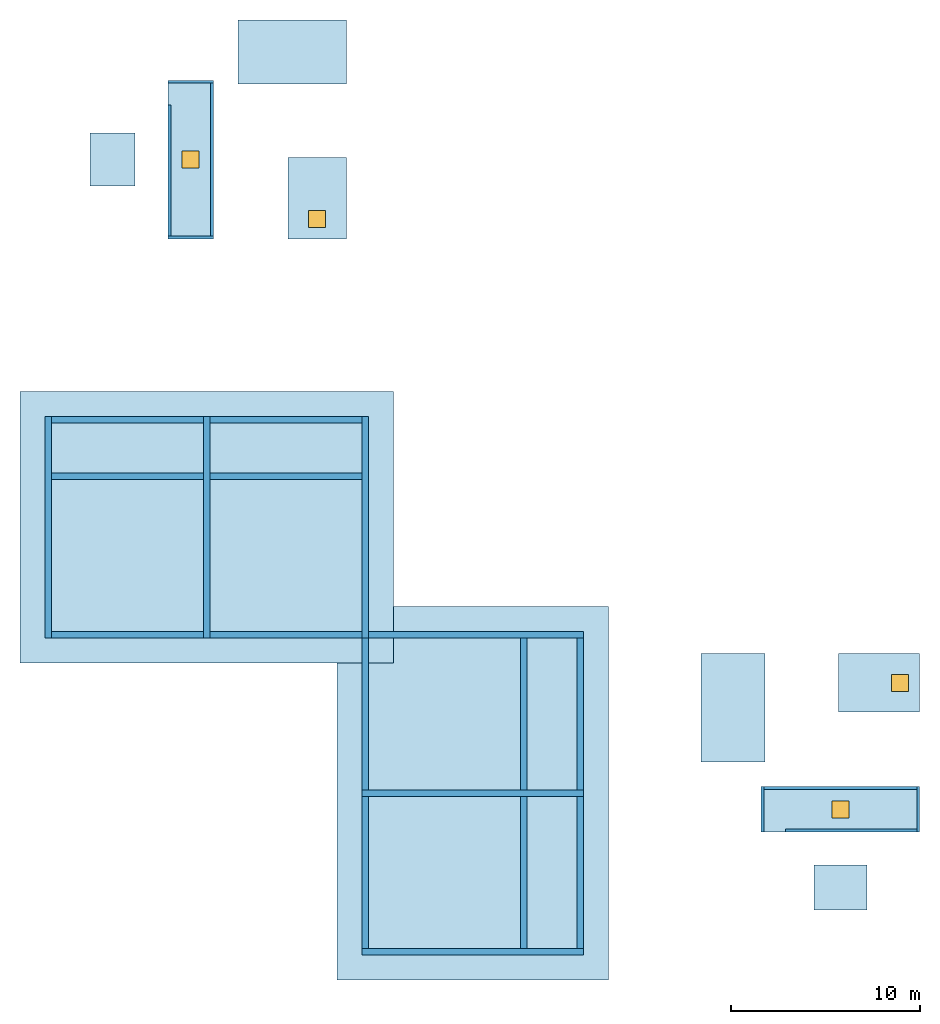
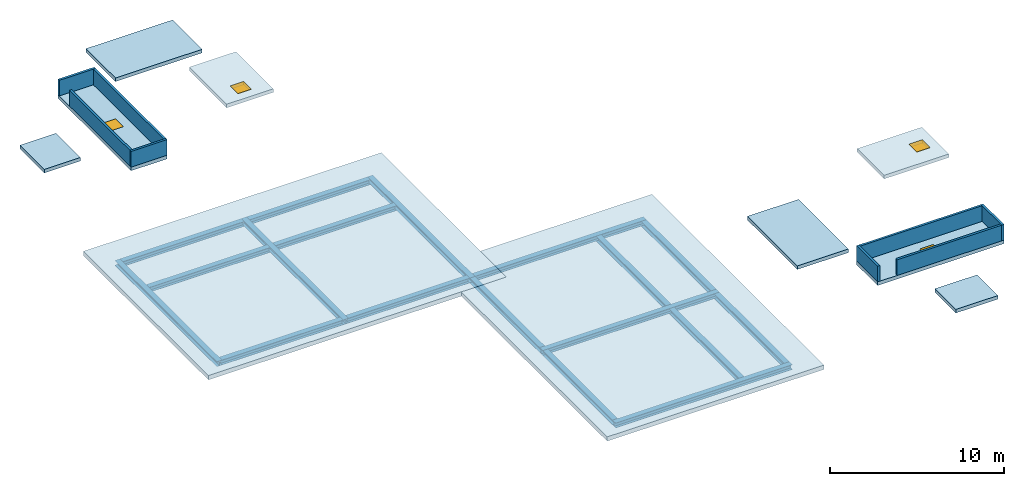
"""IFC4 building model written with IfcOpenShell, lengths in metres."""

from ifc_helpers import new_model, si_unit, direction, frame, frame_2d, origin, origin_2d, place, context, subcontext, project, spatial, polyline, rectangle, i_section, outline, extrude, material, layer, layer_set, material_profile, profile_set, type_object, element, fill, save


model = new_model("IFC4")

# Units and contexts
model_context = context("Model", 3, precision=1e-05, world=origin(), true_north=direction((0.0, 1.0)))
body_context = subcontext(model_context, "Body", "Model", "MODEL_VIEW")
ifc_project = project(units=[si_unit("LENGTHUNIT", "METRE"), si_unit("AREAUNIT", "SQUARE_METRE"), si_unit("VOLUMEUNIT", "CUBIC_METRE"), si_unit("PLANEANGLEUNIT", "RADIAN"), si_unit("MASSUNIT", "GRAM", prefix="KILO")], contexts=[model_context])

# Site, building, storey
site_placement = place(None, origin())
site = spatial("IfcSite", under=ifc_project, at=site_placement, CompositionType="ELEMENT")
building_placement = place(site_placement, origin())
building = spatial("IfcBuilding", under=site, at=building_placement, Name="Vermilion Gate Residences", CompositionType="ELEMENT")
storey_1_placement = place(building_placement, frame((0.0, 0.0, 287.449951171875)))
storey_1 = spatial("IfcBuildingStorey", under=building, at=storey_1_placement, Name="UPPER ROOF", CompositionType="ELEMENT", Elevation=287.449951171875)

# Beams
ifc_material_1 = material(Name="Steel SM355", Category="steel")
ifc_material_profile = material_profile(ifc_material_1, i_section(OverallWidth=0.35009765625, OverallDepth=0.35009765625, WebThickness=0.011962890625, FlangeThickness=0.01904296875, at=origin_2d()), Name="H-350x350x12x19")
ifc_profile_set = profile_set([ifc_material_profile], Name="Steel SM355")
beam_type = type_object("IfcBeamType", Name="STEEL CANOPY BEAM H-350x350x12x19 SM355", PredefinedType="BEAM", material=ifc_profile_set)
for number, where, z_axis, x_axis, name in (
    (1, (8.39990234375, 25.02490234375, 1.275146484375), (0.0, 1.0, 0.0), (-1.0, 0.0, 0.0), "Crown lid beam north terrace 1"),
    (2, (16.800048828125, 25.02490234375, 1.275146484375), (0.0, 1.0, 0.0), (-1.0, 0.0, 0.0), "Crown lid beam north terrace 2"),
    (3, (25.199951171875, 25.02490234375, 1.275146484375), (0.0, 1.0, 0.0), (-1.0, 0.0, 0.0), "Crown lid beam north terrace 3"),
):
    element("IfcBeam", number, at=place(storey_1_placement, frame(where, z_axis=z_axis, x_axis=x_axis)), inside=storey_1, type_object=beam_type, Name=name, PredefinedType="BEAM", context=body_context, shape_type="SweptSolid", body=[
        extrude(i_section(OverallWidth=0.35009765625, OverallDepth=0.35009765625, WebThickness=0.011962890625, FlangeThickness=0.01904296875, at=origin_2d()), origin(), (0.0, 0.0, 1.0), 11.75),
    ])
beam_1_placement = place(storey_1_placement, frame((8.574951171875, 25.199951171875, 1.275146484375), z_axis=(1.0, 0.0, 0.0), x_axis=(0.0, 1.0, 0.0)))
element("IfcBeam", 4, at=beam_1_placement, inside=storey_1, type_object=beam_type, Name="Crown lid beam north terrace row 1-1", PredefinedType="BEAM", context=body_context, shape_type="SweptSolid", body=[
    extrude(i_section(OverallWidth=0.35009765625, OverallDepth=0.35009765625, WebThickness=0.011962890625, FlangeThickness=0.01904296875, at=origin_2d()), origin(), (0.0, 0.0, 1.0), 8.050048828125),
])
beam_2_placement = place(storey_1_placement, frame((16.97509765625, 25.199951171875, 1.275146484375), z_axis=(1.0, 0.0, 0.0), x_axis=(0.0, 1.0, 0.0)))
element("IfcBeam", 5, at=beam_2_placement, inside=storey_1, type_object=beam_type, Name="Crown lid beam north terrace row 1-2", PredefinedType="BEAM", context=body_context, shape_type="SweptSolid", body=[
    extrude(i_section(OverallWidth=0.35009765625, OverallDepth=0.35009765625, WebThickness=0.011962890625, FlangeThickness=0.01904296875, at=origin_2d()), origin(), (0.0, 0.0, 1.0), 8.0498046875),
])
beam_3_placement = place(storey_1_placement, frame((8.574951171875, 33.60009765625, 1.275146484375), z_axis=(1.0, 0.0, 0.0), x_axis=(0.0, 1.0, 0.0)))
element("IfcBeam", 6, at=beam_3_placement, inside=storey_1, type_object=beam_type, Name="Crown lid beam north terrace row 2-1", PredefinedType="BEAM", context=body_context, shape_type="SweptSolid", body=[
    extrude(i_section(OverallWidth=0.35009765625, OverallDepth=0.35009765625, WebThickness=0.011962890625, FlangeThickness=0.01904296875, at=origin_2d()), origin(), (0.0, 0.0, 1.0), 8.050048828125),
])
beam_4_placement = place(storey_1_placement, frame((16.97509765625, 33.60009765625, 1.275146484375), z_axis=(1.0, 0.0, 0.0), x_axis=(0.0, 1.0, 0.0)))
element("IfcBeam", 7, at=beam_4_placement, inside=storey_1, type_object=beam_type, Name="Crown lid beam north terrace row 2-2", PredefinedType="BEAM", context=body_context, shape_type="SweptSolid", body=[
    extrude(i_section(OverallWidth=0.35009765625, OverallDepth=0.35009765625, WebThickness=0.011962890625, FlangeThickness=0.01904296875, at=origin_2d()), origin(), (0.0, 0.0, 1.0), 8.0498046875),
])
beam_5_placement = place(storey_1_placement, frame((8.574951171875, 36.60009765625, 1.275146484375), z_axis=(1.0, 0.0, 0.0), x_axis=(0.0, 1.0, 0.0)))
element("IfcBeam", 8, at=beam_5_placement, inside=storey_1, type_object=beam_type, Name="Crown lid beam north terrace row 3-1", PredefinedType="BEAM", context=body_context, shape_type="SweptSolid", body=[
    extrude(i_section(OverallWidth=0.35009765625, OverallDepth=0.35009765625, WebThickness=0.011962890625, FlangeThickness=0.01904296875, at=origin_2d()), origin(), (0.0, 0.0, 1.0), 8.050048828125),
])
beam_6_placement = place(storey_1_placement, frame((16.97509765625, 36.60009765625, 1.275146484375), z_axis=(1.0, 0.0, 0.0), x_axis=(0.0, 1.0, 0.0)))
element("IfcBeam", 9, at=beam_6_placement, inside=storey_1, type_object=beam_type, Name="Crown lid beam north terrace row 3-2", PredefinedType="BEAM", context=body_context, shape_type="SweptSolid", body=[
    extrude(i_section(OverallWidth=0.35009765625, OverallDepth=0.35009765625, WebThickness=0.011962890625, FlangeThickness=0.01904296875, at=origin_2d()), origin(), (0.0, 0.0, 1.0), 8.0498046875),
])
for number, where, z_axis, x_axis, name in (
    (10, (25.02490234375, 8.39990234375, 1.275146484375), (1.0, 0.0, 0.0), (0.0, 1.0, 0.0), "Crown lid beam east terrace 1"),
    (11, (25.02490234375, 16.800048828125, 1.275146484375), (1.0, 0.0, 0.0), (0.0, 1.0, 0.0), "Crown lid beam east terrace 2"),
):
    element("IfcBeam", number, at=place(storey_1_placement, frame(where, z_axis=z_axis, x_axis=x_axis)), inside=storey_1, type_object=beam_type, Name=name, PredefinedType="BEAM", context=body_context, shape_type="SweptSolid", body=[
        extrude(i_section(OverallWidth=0.35009765625, OverallDepth=0.35009765625, WebThickness=0.011962890625, FlangeThickness=0.01904296875, at=origin_2d()), origin(), (0.0, 0.0, 1.0), 11.75),
    ])
beam_7_placement = place(storey_1_placement, frame((25.375, 25.199951171875, 1.275146484375), z_axis=(1.0, 0.0, 0.0), x_axis=(0.0, 1.0, 0.0)))
element("IfcBeam", 12, at=beam_7_placement, inside=storey_1, type_object=beam_type, Name="Crown lid beam east terrace 3", PredefinedType="BEAM", context=body_context, shape_type="SweptSolid", body=[
    extrude(i_section(OverallWidth=0.35009765625, OverallDepth=0.35009765625, WebThickness=0.011962890625, FlangeThickness=0.01904296875, at=origin_2d()), origin(), (0.0, 0.0, 1.0), 11.39990234375),
])
beam_8_placement = place(storey_1_placement, frame((25.199951171875, 8.574951171875, 1.275146484375), z_axis=(0.0, 1.0, 0.0), x_axis=(-1.0, 0.0, 0.0)))
element("IfcBeam", 13, at=beam_8_placement, inside=storey_1, type_object=beam_type, Name="Crown lid beam east terrace row 1-1", PredefinedType="BEAM", context=body_context, shape_type="SweptSolid", body=[
    extrude(i_section(OverallWidth=0.35009765625, OverallDepth=0.35009765625, WebThickness=0.011962890625, FlangeThickness=0.01904296875, at=origin_2d()), origin(), (0.0, 0.0, 1.0), 8.050048828125),
])
beam_9_placement = place(storey_1_placement, frame((25.199951171875, 16.97509765625, 1.275146484375), z_axis=(0.0, 1.0, 0.0), x_axis=(-1.0, 0.0, 0.0)))
element("IfcBeam", 14, at=beam_9_placement, inside=storey_1, type_object=beam_type, Name="Crown lid beam east terrace row 1-2", PredefinedType="BEAM", context=body_context, shape_type="SweptSolid", body=[
    extrude(i_section(OverallWidth=0.35009765625, OverallDepth=0.35009765625, WebThickness=0.011962890625, FlangeThickness=0.01904296875, at=origin_2d()), origin(), (0.0, 0.0, 1.0), 8.0498046875),
])
beam_10_placement = place(storey_1_placement, frame((33.60009765625, 8.574951171875, 1.275146484375), z_axis=(0.0, 1.0, 0.0), x_axis=(-1.0, 0.0, 0.0)))
element("IfcBeam", 15, at=beam_10_placement, inside=storey_1, type_object=beam_type, Name="Crown lid beam east terrace row 2-1", PredefinedType="BEAM", context=body_context, shape_type="SweptSolid", body=[
    extrude(i_section(OverallWidth=0.35009765625, OverallDepth=0.35009765625, WebThickness=0.011962890625, FlangeThickness=0.01904296875, at=origin_2d()), origin(), (0.0, 0.0, 1.0), 8.050048828125),
])
beam_11_placement = place(storey_1_placement, frame((33.60009765625, 16.97509765625, 1.275146484375), z_axis=(0.0, 1.0, 0.0), x_axis=(-1.0, 0.0, 0.0)))
element("IfcBeam", 16, at=beam_11_placement, inside=storey_1, type_object=beam_type, Name="Crown lid beam east terrace row 2-2", PredefinedType="BEAM", context=body_context, shape_type="SweptSolid", body=[
    extrude(i_section(OverallWidth=0.35009765625, OverallDepth=0.35009765625, WebThickness=0.011962890625, FlangeThickness=0.01904296875, at=origin_2d()), origin(), (0.0, 0.0, 1.0), 8.0498046875),
])
beam_12_placement = place(storey_1_placement, frame((36.60009765625, 8.574951171875, 1.275146484375), z_axis=(0.0, 1.0, 0.0), x_axis=(-1.0, 0.0, 0.0)))
element("IfcBeam", 17, at=beam_12_placement, inside=storey_1, type_object=beam_type, Name="Crown lid beam east terrace row 3-1", PredefinedType="BEAM", context=body_context, shape_type="SweptSolid", body=[
    extrude(i_section(OverallWidth=0.35009765625, OverallDepth=0.35009765625, WebThickness=0.011962890625, FlangeThickness=0.01904296875, at=origin_2d()), origin(), (0.0, 0.0, 1.0), 8.050048828125),
])
beam_13_placement = place(storey_1_placement, frame((36.60009765625, 16.97509765625, 1.275146484375), z_axis=(0.0, 1.0, 0.0), x_axis=(-1.0, 0.0, 0.0)))
element("IfcBeam", 18, at=beam_13_placement, inside=storey_1, type_object=beam_type, Name="Crown lid beam east terrace row 3-2", PredefinedType="BEAM", context=body_context, shape_type="SweptSolid", body=[
    extrude(i_section(OverallWidth=0.35009765625, OverallDepth=0.35009765625, WebThickness=0.011962890625, FlangeThickness=0.01904296875, at=origin_2d()), origin(), (0.0, 0.0, 1.0), 8.0498046875),
])

# Slabs
ifc_material_2 = material(Name="Concrete C40", Category="concrete")
ifc_layer_1 = layer(ifc_material_2, 0.300048828125)
ifc_layer_set_1 = layer_set([ifc_layer_1], Name="RC LID SLAB 300 C40")
slab_type_1 = type_object("IfcSlabType", Name="RC LID SLAB 300 C40", PredefinedType="ROOF", material=ifc_layer_set_1)
slab_1_placement = place(storey_1_placement, frame((0.0, 0.0, 1.449951171875)))
element("IfcSlab", 19, at=slab_1_placement, inside=storey_1, type_object=slab_type_1, Name="Crown lid over the north terrace", PredefinedType="ROOF", context=body_context, shape_type="SweptSolid", body=[
    extrude(outline(polyline([(26.699951171875, 23.699951171875), (26.699951171875, 38.10009765625), (6.89990234375, 38.10009765625), (6.89990234375, 23.699951171875), (26.699951171875, 23.699951171875)])), origin(), (0.0, 0.0, 1.0), 0.300048828125),
])
slab_2_placement = place(storey_1_placement, frame((0.0, 0.0, 1.449951171875)))
element("IfcSlab", 20, at=slab_2_placement, inside=storey_1, type_object=slab_type_1, Name="Crown lid over the east terrace", PredefinedType="ROOF", context=body_context, shape_type="SweptSolid", body=[
    extrude(outline(polyline([(38.10009765625, 26.699951171875), (26.699951171875, 26.699951171875), (26.699951171875, 23.699951171875), (23.699951171875, 23.699951171875), (23.699951171875, 6.89990234375), (38.10009765625, 6.89990234375), (38.10009765625, 26.699951171875)])), origin(), (0.0, 0.0, 1.0), 0.300048828125),
])
ifc_material_3 = material(Name="Concrete C50", Category="concrete")
ifc_layer_2 = layer(ifc_material_3, 0.25)
ifc_layer_set_2 = layer_set([ifc_layer_2], Name="RC UPPER ROOF SLAB 250 C50")
slab_type_2 = type_object("IfcSlabType", Name="RC UPPER ROOF SLAB 250 C50", PredefinedType="ROOF", material=ifc_layer_set_2)
slab_3_placement = place(storey_1_placement, frame((0.0, 0.0, -0.25)))
element("IfcSlab", 21, at=slab_3_placement, inside=storey_1, type_object=slab_type_2, Name="Stair head-house roof A", PredefinedType="ROOF", context=body_context, shape_type="SweptSolid", body=[
    extrude(outline(polyline([(46.39990234375, 18.449951171875), (46.39990234375, 24.199951171875), (43.0, 24.199951171875), (43.0, 18.449951171875), (46.39990234375, 18.449951171875)])), origin(), (0.0, 0.0, 1.0), 0.25),
])
slab_4_placement = place(storey_1_placement, frame((0.0, 0.0, -0.64990234375)))
element("IfcSlab", 22, at=slab_4_placement, inside=storey_1, type_object=slab_type_2, Name="Roof equipment store roof A", PredefinedType="ROOF", context=body_context, shape_type="SweptSolid", body=[
    extrude(outline(polyline([(51.800048828125, 10.60009765625), (51.800048828125, 13.0), (49.0, 13.0), (49.0, 10.60009765625), (51.800048828125, 10.60009765625)])), origin(), (0.0, 0.0, 1.0), 0.25),
])

# Slab, opening
slab_5_placement = place(storey_1_placement, frame((0.0, 0.0, -0.25)))
slab_5 = element("IfcSlab", 23, at=slab_5_placement, inside=storey_1, type_object=slab_type_2, Name="Lift overrun roof A-HR", PredefinedType="ROOF", context=body_context, shape_type="SweptSolid", body=[
    extrude(outline(polyline([(54.60009765625, 14.75), (54.60009765625, 17.14990234375), (46.199951171875, 17.14990234375), (46.199951171875, 14.75), (54.60009765625, 14.75)])), origin(), (0.0, 0.0, 1.0), 0.25),
])
opening_1_placement = place(slab_5_placement, frame((50.39990234375, 15.949951171875, 0.0)))
opening_1 = element("IfcOpeningElement", 24, at=opening_1_placement, cuts=slab_5, Name="Opening WKHAHR", PredefinedType="OPENING", context=body_context, shape_type="SweptSolid", body=[
    extrude(rectangle(XDim=0.89990234375, YDim=0.89990234375, at=origin_2d()), origin(), (0.0, 0.0, 1.0), 0.25),
])

# Storey
storey_2_placement = place(building_placement, frame((0.0, 0.0, 277.199951171875)))
storey_2 = spatial("IfcBuildingStorey", under=building, at=storey_2_placement, Name="L73", CompositionType="ELEMENT", Elevation=277.199951171875)

# Window
ifc_material_4 = material(Name="Aluminium and clear glass", Category="aluminium")
window_type = type_object("IfcWindowType", Name="LIFT OVERRUN ROOF HATCH 900 X 900", PartitioningType="SINGLE_PANEL", PredefinedType="SKYLIGHT", material=ifc_material_4)
window_1_placement = place(opening_1_placement, frame((0.0, 0.0, 0.199951171875)))
window_1 = element("IfcWindow", 25, at=window_1_placement, inside=storey_2, type_object=window_type, Name="Lift overrun roof hatch A-HR", OverallHeight=0.89990234375, OverallWidth=0.89990234375, PartitioningType="SINGLE_PANEL", PredefinedType="SKYLIGHT", context=body_context, shape_type="SweptSolid", body=[
    extrude(rectangle(XDim=0.89990234375, YDim=0.89990234375, at=origin_2d()), origin(), (0.0, 0.0, 1.0), 0.050048828125),
])

fill(opening_1, window_1)

# Slab, opening, window
slab_6_placement = place(storey_1_placement, frame((0.0, 0.0, 1.949951171875)))
slab_6 = element("IfcSlab", 26, at=slab_6_placement, inside=storey_1, type_object=slab_type_2, Name="Lift overrun roof A-FF", PredefinedType="ROOF", context=body_context, shape_type="SweptSolid", body=[
    extrude(outline(polyline([(54.60009765625, 21.10009765625), (54.60009765625, 24.199951171875), (50.300048828125, 24.199951171875), (50.300048828125, 21.10009765625), (54.60009765625, 21.10009765625)])), origin(), (0.0, 0.0, 1.0), 0.25),
])
opening_2_placement = place(slab_6_placement, frame((53.550048828125, 22.64990234375, 0.0)))
opening_2 = element("IfcOpeningElement", 27, at=opening_2_placement, cuts=slab_6, Name="Opening WKHAFF", PredefinedType="OPENING", context=body_context, shape_type="SweptSolid", body=[
    extrude(rectangle(XDim=0.89990234375, YDim=0.89990234375, at=origin_2d()), origin(), (0.0, 0.0, 1.0), 0.25),
])
window_2_placement = place(opening_2_placement, frame((0.0, 0.0, 0.199951171875)))
window_2 = element("IfcWindow", 28, at=window_2_placement, inside=storey_2, type_object=window_type, Name="Lift overrun roof hatch A-FF", OverallHeight=0.89990234375, OverallWidth=0.89990234375, PartitioningType="SINGLE_PANEL", PredefinedType="SKYLIGHT", context=body_context, shape_type="SweptSolid", body=[
    extrude(rectangle(XDim=0.89990234375, YDim=0.89990234375, at=origin_2d()), origin(), (0.0, 0.0, 1.0), 0.050048828125),
])
fill(opening_2, window_2)

# Slabs
slab_7_placement = place(storey_1_placement, frame((0.0, 0.0, -0.25)))
element("IfcSlab", 29, at=slab_7_placement, inside=storey_1, type_object=slab_type_2, Name="Stair head-house roof B", PredefinedType="ROOF", context=body_context, shape_type="SweptSolid", body=[
    extrude(outline(polyline([(24.199951171875, 54.39990234375), (24.199951171875, 57.800048828125), (18.449951171875, 57.800048828125), (18.449951171875, 54.39990234375), (24.199951171875, 54.39990234375)])), origin(), (0.0, 0.0, 1.0), 0.25),
])
slab_8_placement = place(storey_1_placement, frame((0.0, 0.0, -0.64990234375)))
element("IfcSlab", 30, at=slab_8_placement, inside=storey_1, type_object=slab_type_2, Name="Roof equipment store roof B", PredefinedType="ROOF", context=body_context, shape_type="SweptSolid", body=[
    extrude(outline(polyline([(13.0, 49.0), (13.0, 51.800048828125), (10.60009765625, 51.800048828125), (10.60009765625, 49.0), (13.0, 49.0)])), origin(), (0.0, 0.0, 1.0), 0.25),
])

# Slab, opening, window
slab_9_placement = place(storey_1_placement, frame((0.0, 0.0, -0.25)))
slab_9 = element("IfcSlab", 31, at=slab_9_placement, inside=storey_1, type_object=slab_type_2, Name="Lift overrun roof B-HR", PredefinedType="ROOF", context=body_context, shape_type="SweptSolid", body=[
    extrude(outline(polyline([(17.14990234375, 46.199951171875), (17.14990234375, 54.60009765625), (14.75, 54.60009765625), (14.75, 46.199951171875), (17.14990234375, 46.199951171875)])), origin(), (0.0, 0.0, 1.0), 0.25),
])
opening_3_placement = place(slab_9_placement, frame((15.949951171875, 50.39990234375, 0.0)))
opening_3 = element("IfcOpeningElement", 32, at=opening_3_placement, cuts=slab_9, Name="Opening WKHBHR", PredefinedType="OPENING", context=body_context, shape_type="SweptSolid", body=[
    extrude(rectangle(XDim=0.89990234375, YDim=0.89990234375, at=origin_2d()), origin(), (0.0, 0.0, 1.0), 0.25),
])
window_3_placement = place(opening_3_placement, frame((0.0, 0.0, 0.199951171875)))
window_3 = element("IfcWindow", 33, at=window_3_placement, inside=storey_2, type_object=window_type, Name="Lift overrun roof hatch B-HR", OverallHeight=0.89990234375, OverallWidth=0.89990234375, PartitioningType="SINGLE_PANEL", PredefinedType="SKYLIGHT", context=body_context, shape_type="SweptSolid", body=[
    extrude(rectangle(XDim=0.89990234375, YDim=0.89990234375, at=origin_2d()), origin(), (0.0, 0.0, 1.0), 0.050048828125),
])
fill(opening_3, window_3)

slab_10_placement = place(storey_1_placement, frame((0.0, 0.0, 1.949951171875)))
slab_10 = element("IfcSlab", 34, at=slab_10_placement, inside=storey_1, type_object=slab_type_2, Name="Lift overrun roof B-FF", PredefinedType="ROOF", context=body_context, shape_type="SweptSolid", body=[
    extrude(outline(polyline([(24.199951171875, 46.199951171875), (24.199951171875, 50.5), (21.10009765625, 50.5), (21.10009765625, 46.199951171875), (24.199951171875, 46.199951171875)])), origin(), (0.0, 0.0, 1.0), 0.25),
])
opening_4_placement = place(slab_10_placement, frame((22.64990234375, 47.25, 0.0)))
opening_4 = element("IfcOpeningElement", 35, at=opening_4_placement, cuts=slab_10, Name="Opening WKHBFF", PredefinedType="OPENING", context=body_context, shape_type="SweptSolid", body=[
    extrude(rectangle(XDim=0.89990234375, YDim=0.89990234375, at=origin_2d()), origin(), (0.0, 0.0, 1.0), 0.25),
])
window_4_placement = place(opening_4_placement, frame((0.0, 0.0, 0.199951171875)))
window_4 = element("IfcWindow", 36, at=window_4_placement, inside=storey_2, type_object=window_type, Name="Lift overrun roof hatch B-FF", OverallHeight=0.89990234375, OverallWidth=0.89990234375, PartitioningType="SINGLE_PANEL", PredefinedType="SKYLIGHT", context=body_context, shape_type="SweptSolid", body=[
    extrude(rectangle(XDim=0.89990234375, YDim=0.89990234375, at=origin_2d()), origin(), (0.0, 0.0, 1.0), 0.050048828125),
])
fill(opening_4, window_4)

# Walls
ifc_material_5 = material(Name="Concrete C50", Category="concrete")
ifc_layer_3 = layer(ifc_material_5, 0.14990234375)
ifc_layer_set_3 = layer_set([ifc_layer_3], Name="RC ROOF PARAPET 150 C50")
wall_type = type_object("IfcWallType", Name="RC ROOF PARAPET 150 C50", PredefinedType="PARAPET", material=ifc_layer_set_3)
for number, where, z_axis, x_axis, name in (
    (37, (46.27490234375, 14.75, 0.0), (0.0, 0.0, 1.0), (0.0, 1.0, 0.0), "Lift overrun roof parapet A-W"),
    (38, (54.52490234375, 14.75, 0.0), (0.0, 0.0, 1.0), (0.0, 1.0, 0.0), "Lift overrun roof parapet A-E"),
):
    element("IfcWall", number, at=place(storey_1_placement, frame(where, z_axis=z_axis, x_axis=x_axis)), inside=storey_1, type_object=wall_type, Name=name, PredefinedType="PARAPET", context=body_context, shape_type="SweptSolid", body=[
        extrude(rectangle(XDim=2.39990234375, YDim=0.14990234375, at=frame_2d((1.199951171875, 0.0))), origin(), (0.0, 0.0, 1.0), 1.10009765625),
    ])
wall_1_placement = place(storey_1_placement, frame((46.35009765625, 17.074951171875, 0.0), z_axis=(0.0, 0.0, 1.0), x_axis=(1.0, 0.0, 0.0)))
element("IfcWall", 39, at=wall_1_placement, inside=storey_1, type_object=wall_type, Name="Lift overrun roof parapet A-N", PredefinedType="PARAPET", context=body_context, shape_type="SweptSolid", body=[
    extrude(rectangle(XDim=8.099853515625, YDim=0.14990234375, at=frame_2d((4.0498046875, 0.0))), origin(), (0.0, 0.0, 1.0), 1.10009765625),
])
wall_2_placement = place(storey_1_placement, frame((47.5, 14.824951171875, 0.0), z_axis=(0.0, 0.0, 1.0), x_axis=(1.0, 0.0, 0.0)))
element("IfcWall", 40, at=wall_2_placement, inside=storey_1, type_object=wall_type, Name="Lift overrun roof parapet A-S", PredefinedType="PARAPET", context=body_context, shape_type="SweptSolid", body=[
    extrude(rectangle(XDim=6.949951171875, YDim=0.14990234375, at=frame_2d((3.47509765625, 0.0))), origin(), (0.0, 0.0, 1.0), 1.10009765625),
])
for number, where, z_axis, x_axis, name in (
    (41, (14.75, 54.52490234375, 0.0), (0.0, 0.0, 1.0), (1.0, 0.0, 0.0), "Lift overrun roof parapet B-W"),
    (42, (14.75, 46.27490234375, 0.0), (0.0, 0.0, 1.0), (1.0, 0.0, 0.0), "Lift overrun roof parapet B-E"),
):
    element("IfcWall", number, at=place(storey_1_placement, frame(where, z_axis=z_axis, x_axis=x_axis)), inside=storey_1, type_object=wall_type, Name=name, PredefinedType="PARAPET", context=body_context, shape_type="SweptSolid", body=[
        extrude(rectangle(XDim=2.39990234375, YDim=0.14990234375, at=frame_2d((1.199951171875, 0.0))), origin(), (0.0, 0.0, 1.0), 1.10009765625),
    ])
wall_3_placement = place(storey_1_placement, frame((17.074951171875, 54.449951171875, 0.0), z_axis=(0.0, 0.0, 1.0), x_axis=(0.0, -1.0, 0.0)))
element("IfcWall", 43, at=wall_3_placement, inside=storey_1, type_object=wall_type, Name="Lift overrun roof parapet B-N", PredefinedType="PARAPET", context=body_context, shape_type="SweptSolid", body=[
    extrude(rectangle(XDim=8.099853515625, YDim=0.14990234375, at=frame_2d((4.0498046875, 0.0))), origin(), (0.0, 0.0, 1.0), 1.10009765625),
])
wall_4_placement = place(storey_1_placement, frame((14.824951171875, 53.300048828125, 0.0), z_axis=(0.0, 0.0, 1.0), x_axis=(0.0, -1.0, 0.0)))
element("IfcWall", 44, at=wall_4_placement, inside=storey_1, type_object=wall_type, Name="Lift overrun roof parapet B-S", PredefinedType="PARAPET", context=body_context, shape_type="SweptSolid", body=[
    extrude(rectangle(XDim=6.949951171875, YDim=0.14990234375, at=frame_2d((3.47509765625, 0.0))), origin(), (0.0, 0.0, 1.0), 1.10009765625),
])

save(model, "model.ifc")
